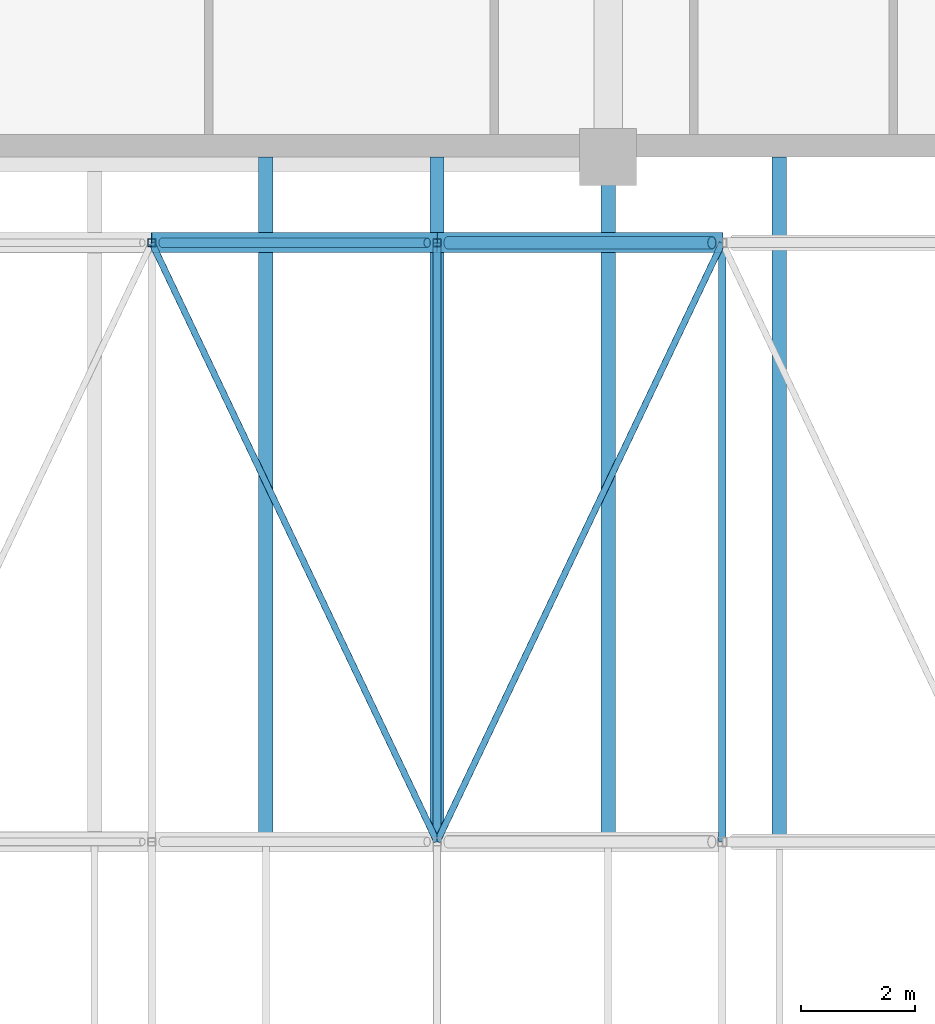
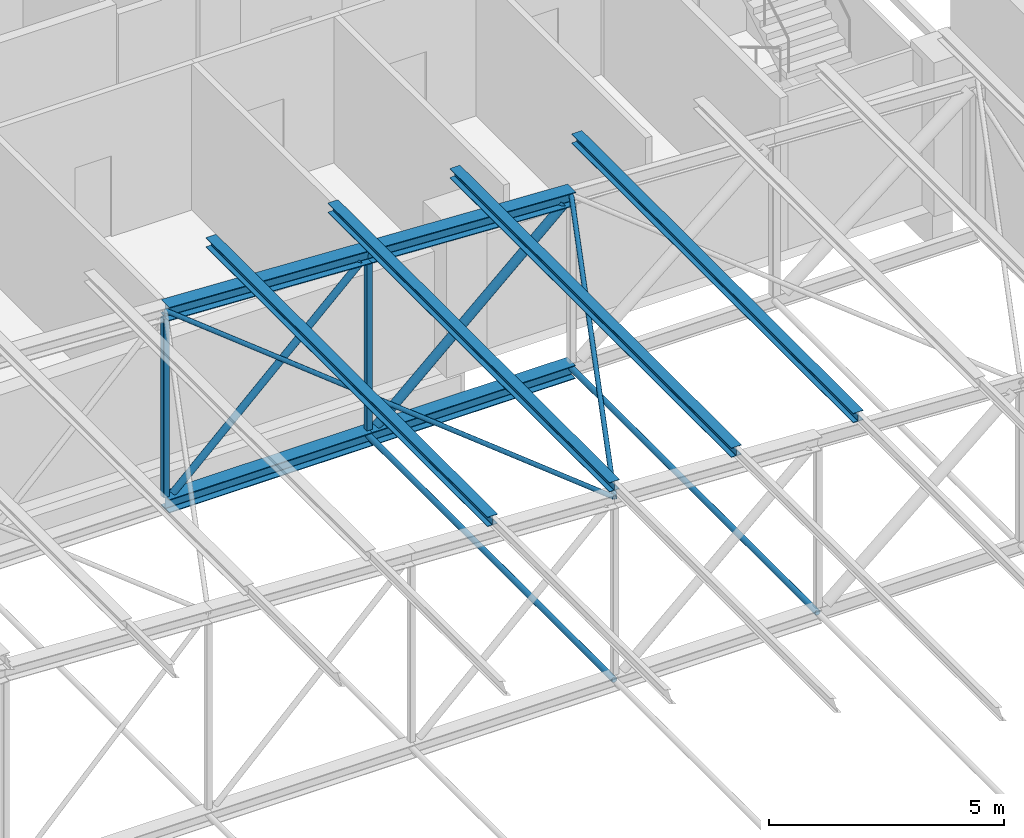
# One storey, part 126 of 156: 16 members.
"""IFC4 building model written with IfcOpenShell, lengths in metres."""

from ifc_helpers import new_model, si_unit, direction, frame, origin, origin_2d, place, context, subcontext, project, spatial, hollow_rectangle, hollow_circle, i_section, extrude, material, material_profile, profile_set, type_object, element, save


model = new_model("IFC4")

# Units and contexts
model_context = context("Model", 3, precision=1e-05, world=origin(), true_north=direction((0.0, 1.0)))
body_context = subcontext(model_context, "Body", "Model", "MODEL_VIEW")
ifc_project = project(units=[si_unit("LENGTHUNIT", "METRE"), si_unit("AREAUNIT", "SQUARE_METRE"), si_unit("VOLUMEUNIT", "CUBIC_METRE"), si_unit("PLANEANGLEUNIT", "RADIAN"), si_unit("MASSUNIT", "GRAM", prefix="KILO")], contexts=[model_context])

# Site, building, storey
site_placement = place(None, origin())
site = spatial("IfcSite", under=ifc_project, at=site_placement, CompositionType="ELEMENT")
building_placement = place(site_placement, origin())
building = spatial("IfcBuilding", under=site, at=building_placement, Name="Lilac Gate Convention Centre", CompositionType="ELEMENT")
storey_placement = place(building_placement, frame((0.0, 0.0, 17.0)))
storey = spatial("IfcBuildingStorey", under=building, at=storey_placement, Name="L03", CompositionType="ELEMENT", Elevation=17.0)

# Members
ifc_material = material(Name="Steel Q355B", Category="steel")
ifc_material_profile_1 = material_profile(ifc_material, hollow_circle(Radius=0.06982421875, WallThickness=0.0048828125, at=origin_2d()), Name="CHS139.7x5")
ifc_profile_set_1 = profile_set([ifc_material_profile_1], Name="Steel Q355B")
member_type_1 = type_object("IfcMemberType", Name="Bottom chord tie CHS139.7x5", PredefinedType="STRUT", material=ifc_profile_set_1)
member_1_placement = place(storey_placement, frame((75.0, 210.006103515625, 0.0), z_axis=(0.0, 1.0, 0.0), x_axis=(-1.0, 0.0, 0.0)))
element("IfcMember", 1, at=member_1_placement, inside=storey, type_object=member_type_1, Name="ST1 tie bay 16 node 10", PredefinedType="STRUT", context=body_context, shape_type="SweptSolid", body=[
    extrude(hollow_circle(Radius=0.06982421875, WallThickness=0.0048828125, at=origin_2d()), origin(), (0.0, 0.0, 1.0), 10.48779296875),
])
member_2_placement = place(storey_placement, frame((80.0, 210.00341796875, 0.0), z_axis=(0.0, 1.0, 0.0), x_axis=(-1.0, 0.0, 0.0)))
element("IfcMember", 2, at=member_2_placement, inside=storey, type_object=member_type_1, Name="ST1 tie bay 16 node 11", PredefinedType="STRUT", context=body_context, shape_type="SweptSolid", body=[
    extrude(hollow_circle(Radius=0.06982421875, WallThickness=0.0048828125, at=origin_2d()), origin(), (0.0, 0.0, 1.0), 10.4931640625),
])
ifc_material_profile_2 = material_profile(ifc_material, hollow_circle(Radius=0.05712890625, WallThickness=0.0048828125, at=origin_2d()), Name="CHS114.3x5")
ifc_profile_set_2 = profile_set([ifc_material_profile_2], Name="Steel Q355B")
member_type_2 = type_object("IfcMemberType", Name="Roof plane bracing CHS114.3x5", PredefinedType="BRACE", material=ifc_profile_set_2)
for number, where, z_axis, x_axis, name in (
    (3, (70.0029296875, 220.493896484375, 5.0), (0.429830782979, -0.902653049237, -0.021516754095), (0.902862072779, 0.429930317072, 0.0), "BR1 plan bracing bay 16 panel 9"),
    (4, (75.0029296875, 210.006103515625, 4.75), (0.429830782979, 0.902653049237, -0.021516754095), (-0.902862072779, 0.429930317072, 0.0), "BR1 plan bracing bay 16 panel 10"),
):
    element("IfcMember", number, at=place(storey_placement, frame(where, z_axis=z_axis, x_axis=x_axis)), inside=storey, type_object=member_type_2, Name=name, PredefinedType="BRACE", context=body_context, shape_type="SweptSolid", body=[
        extrude(hollow_circle(Radius=0.05712890625, WallThickness=0.0048828125, at=origin_2d()), origin(), (0.0, 0.0, 1.0), 11.618896484375),
    ])
ifc_material_profile_3 = material_profile(ifc_material, i_section(OverallWidth=0.25, OverallDepth=0.25, WebThickness=0.009033203125, FlangeThickness=0.013916015625, FilletRadius=0.012939453125, at=origin_2d()), Name="HW250x250x9x14")
ifc_profile_set_3 = profile_set([ifc_material_profile_3], Name="Steel Q355B")
member_type_3 = type_object("IfcMemberType", Name="Roof purlin HW250x250x9x14", PredefinedType="PURLIN", material=ifc_profile_set_3)
for number, where, z_axis, x_axis, name in (
    (5, (72.0, 210.0, 5.2001953125), (0.0, 1.0, 0.0), (-1.0, 0.0, 0.0), "PU1 purlin bay 16 line 15"),
    (6, (75.0, 210.0, 5.05029296875), (0.0, 1.0, 0.0), (-1.0, 0.0, 0.0), "PU1 purlin bay 16 line 16"),
    (7, (78.0, 210.0, 4.900146484375), (0.0, 1.0, 0.0), (-1.0, 0.0, 0.0), "PU1 purlin bay 16 line 17"),
    (8, (81.0, 210.0, 4.750244140625), (0.0, 1.0, 0.0), (-1.0, 0.0, 0.0), "PU1 purlin bay 16 line 18"),
):
    element("IfcMember", number, at=place(storey_placement, frame(where, z_axis=z_axis, x_axis=x_axis)), inside=storey, type_object=member_type_3, Name=name, PredefinedType="PURLIN", context=body_context, shape_type="SweptSolid", body=[
        extrude(i_section(OverallWidth=0.25, OverallDepth=0.25, WebThickness=0.009033203125, FlangeThickness=0.013916015625, FilletRadius=0.012939453125, at=origin_2d()), origin(), (0.0, 0.0, 1.0), 12.0),
    ])
ifc_material_profile_4 = material_profile(ifc_material, i_section(OverallWidth=0.35009765625, OverallDepth=0.35009765625, WebThickness=0.011962890625, FlangeThickness=0.01904296875, FilletRadius=0.012939453125, at=origin_2d()), Name="HW350x350x12x19")
ifc_profile_set_4 = profile_set([ifc_material_profile_4], Name="Steel Q355B")
member_type_4 = type_object("IfcMemberType", Name="Truss bottom chord HW350x350x12x19", PredefinedType="CHORD", material=ifc_profile_set_4)
for number, where, z_axis, x_axis, name in (
    (9, (70.0, 220.5, 0.0), (1.0, 0.0, 0.0), (0.0, 1.0, 0.0), "TB2 truss 17 bottom chord 9"),
    (10, (75.0, 220.5, 0.0), (1.0, 0.0, 0.0), (0.0, 1.0, 0.0), "TB2 truss 17 bottom chord 10"),
):
    element("IfcMember", number, at=place(storey_placement, frame(where, z_axis=z_axis, x_axis=x_axis)), inside=storey, type_object=member_type_4, Name=name, PredefinedType="CHORD", context=body_context, shape_type="SweptSolid", body=[
        extrude(i_section(OverallWidth=0.35009765625, OverallDepth=0.35009765625, WebThickness=0.011962890625, FlangeThickness=0.01904296875, FilletRadius=0.012939453125, at=origin_2d()), origin(), (0.0, 0.0, 1.0), 5.0),
    ])
ifc_material_profile_5 = material_profile(ifc_material, hollow_circle(Radius=0.084228515625, WallThickness=0.006103515625, at=origin_2d()), Name="CHS168.3x6")
ifc_profile_set_5 = profile_set([ifc_material_profile_5], Name="Steel Q355B")
member_type_5 = type_object("IfcMemberType", Name="Truss diagonal CHS168.3x6", PredefinedType="BRACE", material=ifc_profile_set_5)
member_3_placement = place(storey_placement, frame((74.8271484375, 220.5, 4.585693359375), z_axis=(-0.725020373275, 0.0, -0.688727419475), x_axis=(0.0, -1.0, 0.0)))
element("IfcMember", 11, at=member_3_placement, inside=storey, type_object=member_type_5, Name="TW4 truss 17 diagonal 9", PredefinedType="BRACE", context=body_context, shape_type="SweptSolid", body=[
    extrude(hollow_circle(Radius=0.084228515625, WallThickness=0.006103515625, at=origin_2d()), origin(), (0.0, 0.0, 1.0), 6.404052734375),
])
ifc_material_profile_6 = material_profile(ifc_material, hollow_circle(Radius=0.109619140625, WallThickness=0.008056640625, at=origin_2d()), Name="CHS219.1x8")
ifc_profile_set_6 = profile_set([ifc_material_profile_6], Name="Steel Q355B")
member_type_6 = type_object("IfcMemberType", Name="Truss diagonal CHS219.1x8", PredefinedType="BRACE", material=ifc_profile_set_6)
member_4_placement = place(storey_placement, frame((79.8173828125, 220.5, 4.335693359375), z_axis=(-0.743301953498, 0.0, -0.668956056797), x_axis=(0.0, -1.0, 0.0)))
element("IfcMember", 12, at=member_4_placement, inside=storey, type_object=member_type_6, Name="TW3 truss 17 diagonal 10", PredefinedType="BRACE", context=body_context, shape_type="SweptSolid", body=[
    extrude(hollow_circle(Radius=0.109619140625, WallThickness=0.008056640625, at=origin_2d()), origin(), (0.0, 0.0, 1.0), 6.2197265625),
])
ifc_material_profile_7 = material_profile(ifc_material, i_section(OverallWidth=0.35009765625, OverallDepth=0.35009765625, WebThickness=0.011962890625, FlangeThickness=0.01904296875, FilletRadius=0.012939453125, at=origin_2d()), Name="HW350x350x12x19")
ifc_profile_set_7 = profile_set([ifc_material_profile_7], Name="Steel Q355B")
member_type_7 = type_object("IfcMemberType", Name="Truss top chord HW350x350x12x19", PredefinedType="CHORD", material=ifc_profile_set_7)
for number, where, z_axis, x_axis, name in (
    (13, (70.0, 220.5, 5.0), (0.998752338878, 0.0, -0.049937616944), (0.0, 1.0, 0.0), "TT2 truss 17 top chord 9"),
    (14, (75.0, 220.5, 4.75), (0.998752338878, 0.0, -0.049937616944), (0.0, 1.0, 0.0), "TT2 truss 17 top chord 10"),
):
    element("IfcMember", number, at=place(storey_placement, frame(where, z_axis=z_axis, x_axis=x_axis)), inside=storey, type_object=member_type_7, Name=name, PredefinedType="CHORD", context=body_context, shape_type="SweptSolid", body=[
        extrude(i_section(OverallWidth=0.35009765625, OverallDepth=0.35009765625, WebThickness=0.011962890625, FlangeThickness=0.01904296875, FilletRadius=0.012939453125, at=origin_2d()), origin(), (0.0, 0.0, 1.0), 5.00634765625),
    ])
ifc_material_profile_8 = material_profile(ifc_material, hollow_rectangle(XDim=0.139892578125, YDim=0.139892578125, WallThickness=0.0048828125, InnerFilletRadius=0.0048828125, OuterFilletRadius=0.010009765625, at=origin_2d()), Name="SHS140x140x5")
ifc_profile_set_8 = profile_set([ifc_material_profile_8], Name="Steel Q355B")
member_type_8 = type_object("IfcMemberType", Name="Truss vertical SHS140x140x5", PredefinedType="STRUT", material=ifc_profile_set_8)
member_5_placement = place(storey_placement, frame((70.0, 220.5, 0.175048828125), z_axis=(0.0, 0.0, 1.0), x_axis=(1.0, 0.0, 0.0)))
element("IfcMember", 15, at=member_5_placement, inside=storey, type_object=member_type_8, Name="TV4 truss 17 vertical 9", PredefinedType="STRUT", context=body_context, shape_type="SweptSolid", body=[
    extrude(hollow_rectangle(XDim=0.139892578125, YDim=0.139892578125, WallThickness=0.0048828125, InnerFilletRadius=0.0048828125, OuterFilletRadius=0.010009765625, at=origin_2d()), origin(), (0.0, 0.0, 1.0), 4.649658203125),
])
member_6_placement = place(storey_placement, frame((75.0, 220.5, 0.175048828125), z_axis=(0.0, 0.0, 1.0), x_axis=(1.0, 0.0, 0.0)))
element("IfcMember", 16, at=member_6_placement, inside=storey, type_object=member_type_8, Name="TV4 truss 17 vertical 10", PredefinedType="STRUT", context=body_context, shape_type="SweptSolid", body=[
    extrude(hollow_rectangle(XDim=0.139892578125, YDim=0.139892578125, WallThickness=0.0048828125, InnerFilletRadius=0.0048828125, OuterFilletRadius=0.010009765625, at=origin_2d()), origin(), (0.0, 0.0, 1.0), 4.399658203125),
])

save(model, "model.ifc")
